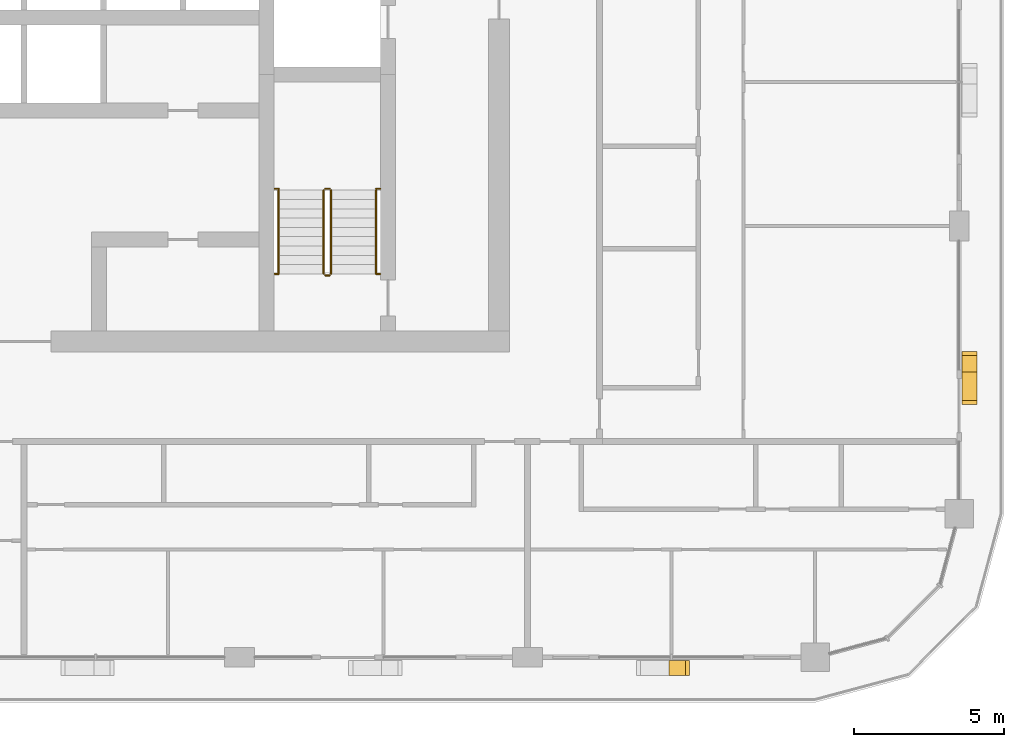
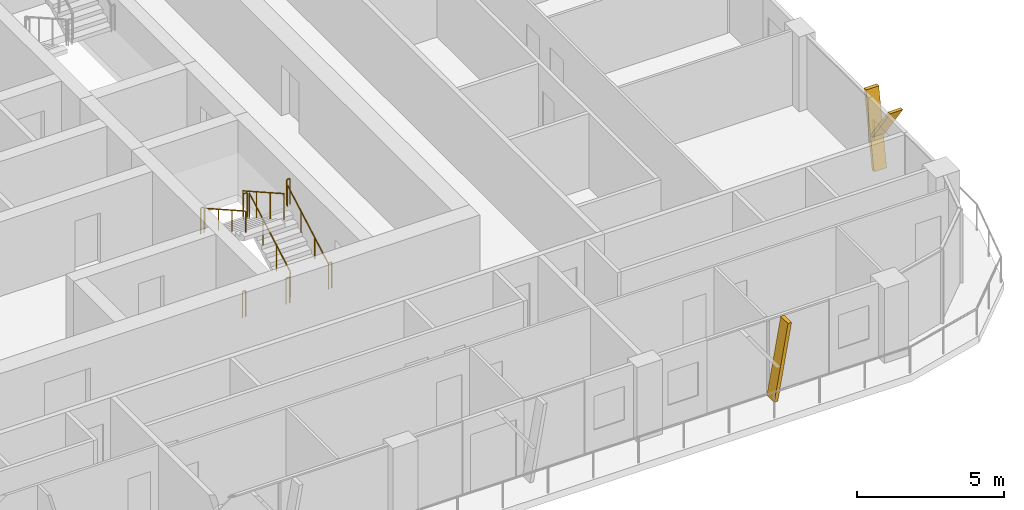
# One storey, part 19 of 22: 10 railings, 3 shading devices.
"""IFC4 building model written with IfcOpenShell, lengths in metres."""

from ifc_helpers import new_model, si_unit, direction, frame, origin, origin_2d, place, context, subcontext, project, spatial, polyline, circle, outline, extrude, material, type_object, element, save


model = new_model("IFC4")

# Units and contexts
model_context = context("Model", 3, precision=1e-05, world=origin(), true_north=direction((0.0, 1.0)))
body_context = subcontext(model_context, "Body", "Model", "MODEL_VIEW")
ifc_project = project(units=[si_unit("LENGTHUNIT", "METRE"), si_unit("AREAUNIT", "SQUARE_METRE"), si_unit("VOLUMEUNIT", "CUBIC_METRE"), si_unit("PLANEANGLEUNIT", "RADIAN"), si_unit("MASSUNIT", "GRAM", prefix="KILO")], contexts=[model_context])

# Site, building, storey
site_placement = place(None, origin())
site = spatial("IfcSite", under=ifc_project, at=site_placement, CompositionType="ELEMENT")
building_placement = place(site_placement, origin())
building = spatial("IfcBuilding", under=site, at=building_placement, Name="Madar Terraces", CompositionType="ELEMENT")
storey_placement = place(building_placement, frame((0.0, 0.0, 229.800048828125)))
storey = spatial("IfcBuildingStorey", under=building, at=storey_placement, Name="L60", CompositionType="ELEMENT", Elevation=229.800048828125)

# Shading devices
ifc_material_1 = material(Name="Aluminium, black anodised", Category="aluminium")
shading_device_type = type_object("IfcShadingDeviceType", Name="Facade fin blade 140 x 500", PredefinedType="USERDEFINED", material=ifc_material_1)
shading_device_1_placement = place(storey_placement, frame((52.72998046875, 4.449951171875, 0.0), z_axis=(0.0, 0.0, 1.0), x_axis=(1.0, 0.0, 0.0)))
element("IfcShadingDevice", 1, at=shading_device_1_placement, inside=storey, type_object=shading_device_type, Name="FIN L60 S5", ObjectType="FIN", PredefinedType="USERDEFINED", context=body_context, shape_type="SweptSolid", body=[
    extrude(outline(polyline([(0.0, 0.0), (0.14013671875, 0.0), (0.68310546875, 3.079833984375), (0.54296875, 3.079833984375), (0.0, 0.0)])), frame((0.0, 0.25, 0.0), z_axis=(0.0, -1.0, 0.0), x_axis=(1.0, 0.0, 0.0)), (0.0, 0.0, 1.0), 0.5),
])
shading_device_2_placement = place(storey_placement, frame((62.75, 14.330078125, 0.0), z_axis=(0.0, 0.0, 1.0), x_axis=(0.0, 1.0, 0.0)))
element("IfcShadingDevice", 2, at=shading_device_2_placement, inside=storey, type_object=shading_device_type, Name="FIN L60 E1", ObjectType="FIN", PredefinedType="USERDEFINED", context=body_context, shape_type="SweptSolid", body=[
    extrude(outline(polyline([(0.0, 0.0), (0.139892578125, 0.0), (0.68310546875, 3.079833984375), (0.54296875, 3.079833984375), (0.0, 0.0)])), frame((0.0, 0.25, 0.0), z_axis=(0.0, -1.0, 0.0), x_axis=(1.0, 0.0, 0.0)), (0.0, 0.0, 1.0), 0.5),
])
shading_device_3_placement = place(storey_placement, frame((62.75, 14.434326171875, 1.385986328125), z_axis=(0.0, 0.0, 1.0), x_axis=(0.0, 1.0, 0.0)))
element("IfcShadingDevice", 3, at=shading_device_3_placement, inside=storey, type_object=shading_device_type, Name="FIN L60 E1 branch", ObjectType="FIN", PredefinedType="USERDEFINED", context=body_context, shape_type="SweptSolid", body=[
    extrude(outline(polyline([(0.0, 0.0), (0.14013671875, 0.0), (-1.061279296875, 1.69384765625), (-1.201416015625, 1.69384765625), (0.0, 0.0)])), frame((0.0, 0.25, 0.0), z_axis=(0.0, -1.0, 0.0), x_axis=(1.0, 0.0, 0.0)), (0.0, 0.0, 1.0), 0.5),
])

# Railings
ifc_material_2 = material(Name="Stainless steel railing", Category="steel")
railing_type_1 = type_object("IfcRailingType", Name="Stair guard 1100", PredefinedType="GUARDRAIL", material=ifc_material_2)
railing_1_placement = place(storey_placement, frame((41.449951171875, 17.60009765625, 0.175048828125)))
element("IfcRailing", 4, at=railing_1_placement, inside=storey, type_object=railing_type_1, Name="L60 ST3 stair guard 1", PredefinedType="GUARDRAIL", context=body_context, shape_type="SweptSolid", body=[
    extrude(circle(Radius=0.02392578125, at=origin_2d()), frame((0.0, 0.0, 1.076171875), z_axis=(0.0, 0.870815363784, 0.491610213684), x_axis=(-1.0, 0.0, 0.0)), (0.0, 0.0, 1.0), 3.20361328125),
    extrude(circle(Radius=0.02099609375, at=origin_2d()), origin(), (0.0, 0.0, 1.0), 1.052001953125),
    extrude(circle(Radius=0.02099609375, at=origin_2d()), frame((0.0, 0.929931640625, 0.52490234375)), (0.0, 0.0, 1.0), 1.052001953125),
    extrude(circle(Radius=0.02099609375, at=origin_2d()), frame((0.0, 1.85986328125, 1.050048828125)), (0.0, 0.0, 1.0), 1.052001953125),
    extrude(circle(Radius=0.02099609375, at=origin_2d()), frame((0.0, 2.789794921875, 1.574951171875)), (0.0, 0.0, 1.0), 1.052001953125),
])
railing_2_placement = place(storey_placement, frame((41.39990234375, 20.43994140625, 1.75)))
element("IfcRailing", 5, at=railing_2_placement, inside=storey, type_object=railing_type_1, Name="L60 ST3 stair guard 2", PredefinedType="GUARDRAIL", context=body_context, shape_type="SweptSolid", body=[
    extrude(circle(Radius=0.02392578125, at=origin_2d()), frame((0.0, 0.0, 1.076171875), z_axis=(-1.0, 0.0, 0.0), x_axis=(0.0, -1.0, 0.0)), (0.0, 0.0, 1.0), 0.14990234375),
    extrude(circle(Radius=0.02099609375, at=origin_2d()), origin(), (0.0, 0.0, 1.0), 1.052001953125),
    extrude(circle(Radius=0.02099609375, at=origin_2d()), frame((-0.14990234375, 0.0, 0.0)), (0.0, 0.0, 1.0), 1.052001953125),
])
railing_3_placement = place(storey_placement, frame((41.199951171875, 20.389892578125, 1.925048828125)))
element("IfcRailing", 6, at=railing_3_placement, inside=storey, type_object=railing_type_1, Name="L60 ST3 stair guard 3", PredefinedType="GUARDRAIL", context=body_context, shape_type="SweptSolid", body=[
    extrude(circle(Radius=0.02392578125, at=origin_2d()), frame((0.0, 0.0, 1.076171875), z_axis=(0.0, -0.870815363784, 0.491610213684), x_axis=(1.0, 0.0, 0.0)), (0.0, 0.0, 1.0), 3.20361328125),
    extrude(circle(Radius=0.02099609375, at=origin_2d()), origin(), (0.0, 0.0, 1.0), 1.052001953125),
    extrude(circle(Radius=0.02099609375, at=origin_2d()), frame((0.0, -0.929931640625, 0.52490234375)), (0.0, 0.0, 1.0), 1.052001953125),
    extrude(circle(Radius=0.02099609375, at=origin_2d()), frame((0.0, -1.85986328125, 1.050048828125)), (0.0, 0.0, 1.0), 1.052001953125),
    extrude(circle(Radius=0.02099609375, at=origin_2d()), frame((0.0, -2.789794921875, 1.574951171875)), (0.0, 0.0, 1.0), 1.052001953125),
])
railing_4_placement = place(storey_placement, frame((41.39990234375, 17.550048828125, 0.0)))
element("IfcRailing", 7, at=railing_4_placement, inside=storey, type_object=railing_type_1, Name="L60 ST3 stair guard 4", PredefinedType="GUARDRAIL", context=body_context, shape_type="SweptSolid", body=[
    extrude(circle(Radius=0.02392578125, at=origin_2d()), frame((0.0, 0.0, 1.076171875), z_axis=(-1.0, 0.0, 0.0), x_axis=(0.0, -1.0, 0.0)), (0.0, 0.0, 1.0), 0.14990234375),
    extrude(circle(Radius=0.02099609375, at=origin_2d()), origin(), (0.0, 0.0, 1.0), 1.052001953125),
    extrude(circle(Radius=0.02099609375, at=origin_2d()), frame((-0.14990234375, 0.0, 0.0)), (0.0, 0.0, 1.0), 1.052001953125),
])
railing_5_placement = place(storey_placement, frame((39.570068359375, 20.43994140625, 1.75)))
element("IfcRailing", 8, at=railing_5_placement, inside=storey, type_object=railing_type_1, Name="L60 stair guard seat 1", PredefinedType="GUARDRAIL", context=body_context, shape_type="SweptSolid", body=[
    extrude(circle(Radius=0.02392578125, at=origin_2d()), frame((0.0, 0.0, 1.076171875), z_axis=(1.0, 0.0, 0.0), x_axis=(0.0, 1.0, 0.0)), (0.0, 0.0, 1.0), 0.1298828125),
    extrude(circle(Radius=0.02099609375, at=origin_2d()), origin(), (0.0, 0.0, 1.0), 1.052001953125),
    extrude(circle(Radius=0.02099609375, at=origin_2d()), frame((0.1298828125, 0.0, 0.0)), (0.0, 0.0, 1.0), 1.052001953125),
])
railing_6_placement = place(storey_placement, frame((42.949951171875, 20.43994140625, 1.75)))
element("IfcRailing", 9, at=railing_6_placement, inside=storey, type_object=railing_type_1, Name="L60 stair guard seat 2", PredefinedType="GUARDRAIL", context=body_context, shape_type="SweptSolid", body=[
    extrude(circle(Radius=0.02392578125, at=origin_2d()), frame((0.0, 0.0, 1.076171875), z_axis=(1.0, 0.0, 0.0), x_axis=(0.0, 1.0, 0.0)), (0.0, 0.0, 1.0), 0.130126953125),
    extrude(circle(Radius=0.02099609375, at=origin_2d()), origin(), (0.0, 0.0, 1.0), 1.052001953125),
    extrude(circle(Radius=0.02099609375, at=origin_2d()), frame((0.130126953125, 0.0, 0.0)), (0.0, 0.0, 1.0), 1.052001953125),
])
railing_7_placement = place(storey_placement, frame((39.570068359375, 17.60009765625, 0.0)))
element("IfcRailing", 10, at=railing_7_placement, inside=storey, type_object=railing_type_1, Name="L60 stair guard floor 1", PredefinedType="GUARDRAIL", context=body_context, shape_type="SweptSolid", body=[
    extrude(circle(Radius=0.02392578125, at=origin_2d()), frame((0.0, 0.0, 1.076171875), z_axis=(1.0, 0.0, 0.0), x_axis=(0.0, 1.0, 0.0)), (0.0, 0.0, 1.0), 0.1298828125),
    extrude(circle(Radius=0.02099609375, at=origin_2d()), origin(), (0.0, 0.0, 1.0), 1.052001953125),
    extrude(circle(Radius=0.02099609375, at=origin_2d()), frame((0.1298828125, 0.0, 0.0)), (0.0, 0.0, 1.0), 1.052001953125),
])
railing_8_placement = place(storey_placement, frame((42.949951171875, 17.60009765625, 0.0)))
element("IfcRailing", 11, at=railing_8_placement, inside=storey, type_object=railing_type_1, Name="L60 stair guard floor 2", PredefinedType="GUARDRAIL", context=body_context, shape_type="SweptSolid", body=[
    extrude(circle(Radius=0.02392578125, at=origin_2d()), frame((0.0, 0.0, 1.076171875), z_axis=(1.0, 0.0, 0.0), x_axis=(0.0, 1.0, 0.0)), (0.0, 0.0, 1.0), 0.130126953125),
    extrude(circle(Radius=0.02099609375, at=origin_2d()), origin(), (0.0, 0.0, 1.0), 1.052001953125),
    extrude(circle(Radius=0.02099609375, at=origin_2d()), frame((0.130126953125, 0.0, 0.0)), (0.0, 0.0, 1.0), 1.052001953125),
])
ifc_material_3 = material(Name="Stainless steel railing", Category="steel")
railing_type_2 = type_object("IfcRailingType", Name="Stair handrail 900", PredefinedType="HANDRAIL", material=ifc_material_3)
railing_9_placement = place(storey_placement, frame((42.949951171875, 17.60009765625, 0.175048828125)))
element("IfcRailing", 12, at=railing_9_placement, inside=storey, type_object=railing_type_2, Name="L60 ST3 stair handrail 1", PredefinedType="HANDRAIL", context=body_context, shape_type="SweptSolid", body=[
    extrude(circle(Radius=0.02392578125, at=origin_2d()), frame((0.0, 0.0, 0.8759765625), z_axis=(0.0, 0.870815363784, 0.491610213684), x_axis=(-1.0, 0.0, 0.0)), (0.0, 0.0, 1.0), 3.20361328125),
    extrude(circle(Radius=0.02099609375, at=origin_2d()), origin(), (0.0, 0.0, 1.0), 0.851806640625),
    extrude(circle(Radius=0.02099609375, at=origin_2d()), frame((0.0, 0.929931640625, 0.52490234375)), (0.0, 0.0, 1.0), 0.851806640625),
    extrude(circle(Radius=0.02099609375, at=origin_2d()), frame((0.0, 1.85986328125, 1.050048828125)), (0.0, 0.0, 1.0), 0.851806640625),
    extrude(circle(Radius=0.02099609375, at=origin_2d()), frame((0.0, 2.789794921875, 1.574951171875)), (0.0, 0.0, 1.0), 0.851806640625),
])
railing_10_placement = place(storey_placement, frame((39.699951171875, 20.389892578125, 1.925048828125)))
element("IfcRailing", 13, at=railing_10_placement, inside=storey, type_object=railing_type_2, Name="L60 ST3 stair handrail 2", PredefinedType="HANDRAIL", context=body_context, shape_type="SweptSolid", body=[
    extrude(circle(Radius=0.02392578125, at=origin_2d()), frame((0.0, 0.0, 0.8759765625), z_axis=(0.0, -0.870815363784, 0.491610213684), x_axis=(1.0, 0.0, 0.0)), (0.0, 0.0, 1.0), 3.20361328125),
    extrude(circle(Radius=0.02099609375, at=origin_2d()), origin(), (0.0, 0.0, 1.0), 0.851806640625),
    extrude(circle(Radius=0.02099609375, at=origin_2d()), frame((0.0, -0.929931640625, 0.52490234375)), (0.0, 0.0, 1.0), 0.851806640625),
    extrude(circle(Radius=0.02099609375, at=origin_2d()), frame((0.0, -1.85986328125, 1.050048828125)), (0.0, 0.0, 1.0), 0.851806640625),
    extrude(circle(Radius=0.02099609375, at=origin_2d()), frame((0.0, -2.789794921875, 1.574951171875)), (0.0, 0.0, 1.0), 0.851806640625),
])

save(model, "model.ifc")
